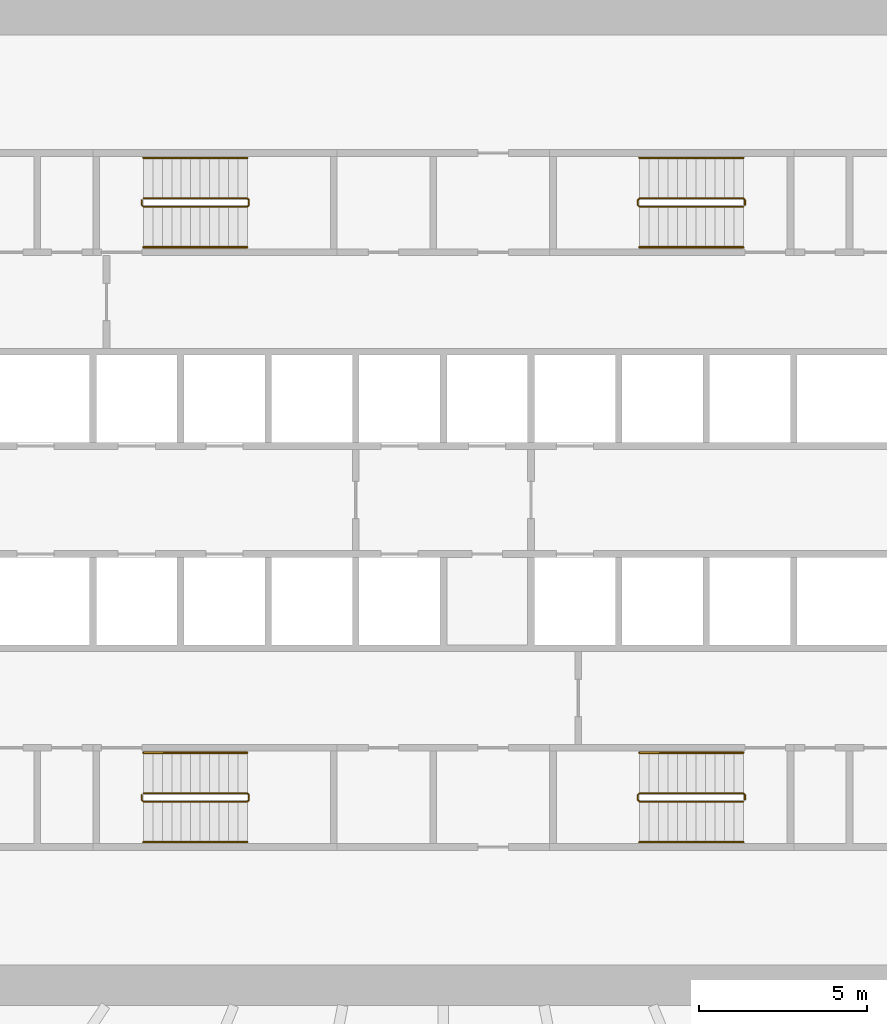
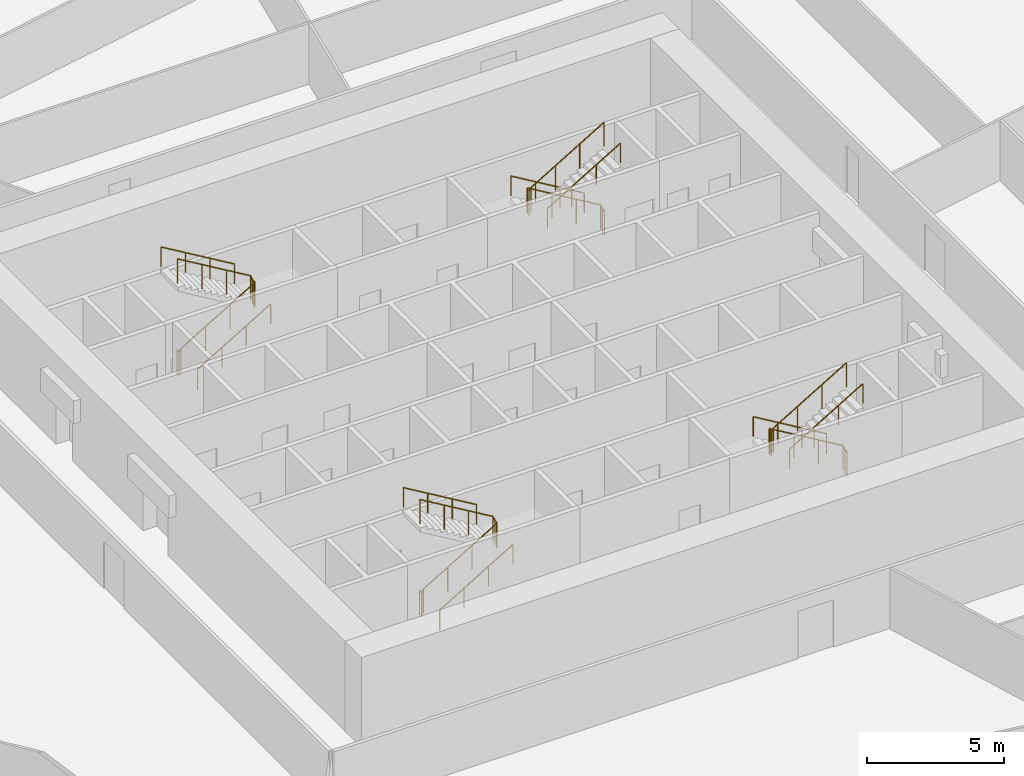
# One storey, part 15 of 15: 12 railings.
"""IFC4 building model written with IfcOpenShell, lengths in metres."""

from ifc_helpers import new_model, si_unit, direction, frame, origin, origin_2d, place, context, subcontext, project, spatial, circle, extrude, material, type_object, element, save


model = new_model("IFC4")

# Units and contexts
model_context = context("Model", 3, precision=1e-05, world=origin(), true_north=direction((0.0, 1.0)))
body_context = subcontext(model_context, "Body", "Model", "MODEL_VIEW")
ifc_project = project(units=[si_unit("LENGTHUNIT", "METRE"), si_unit("AREAUNIT", "SQUARE_METRE"), si_unit("VOLUMEUNIT", "CUBIC_METRE"), si_unit("PLANEANGLEUNIT", "RADIAN"), si_unit("MASSUNIT", "GRAM", prefix="KILO")], contexts=[model_context])

# Site, building, storey
site_placement = place(None, origin())
site = spatial("IfcSite", under=ifc_project, at=site_placement, CompositionType="ELEMENT")
building_placement = place(site_placement, origin())
building = spatial("IfcBuilding", under=site, at=building_placement, Name="Corvane Civic Tower", CompositionType="ELEMENT")
storey_placement = place(building_placement, frame((0.0, 0.0, 73.0)))
storey = spatial("IfcBuildingStorey", under=building, at=storey_placement, Name="L16", CompositionType="ELEMENT", Elevation=73.0)

# Railings
ifc_material_1 = material(Name="Steel ASTM A572 Gr 50", Category="steel")
railing_type_1 = type_object("IfcRailingType", Name="ST-GUARD-1100", PredefinedType="GUARDRAIL", material=ifc_material_1)
railing_1_placement = place(storey_placement, frame((8.949951171875, 8.75, 0.0)))
element("IfcRailing", 1, at=railing_1_placement, inside=storey, type_object=railing_type_1, Name="L16 ST1 stair guard 1", PredefinedType="GUARDRAIL", context=body_context, shape_type="SweptSolid", body=[
    extrude(circle(Radius=0.02392578125, at=origin_2d()), frame((0.0, 0.0, 1.076171875), z_axis=(0.0, 1.0, 0.0), x_axis=(-1.0, 0.0, 0.0)), (0.0, 0.0, 1.0), 0.14990234375),
    extrude(circle(Radius=0.02392578125, at=origin_2d()), frame((0.0, 0.14990234375, 1.076171875), z_axis=(-0.27628659633, 0.27628659633, 0.920506074601), x_axis=(-0.707106781187, -0.707106781187, 0.0)), (0.0, 0.0, 1.0), 0.18115234375),
    extrude(circle(Radius=0.02392578125, at=origin_2d()), frame((-0.050048828125, 0.199951171875, 1.24267578125), z_axis=(-0.859290745958, 0.0, 0.51148745235), x_axis=(0.0, -1.0, 0.0)), (0.0, 0.0, 1.0), 3.584228515625),
    extrude(circle(Radius=0.02392578125, at=origin_2d()), frame((-3.1298828125, 0.199951171875, 3.076171875), z_axis=(-0.707106781187, -0.707106781187, 0.0), x_axis=(0.707106781187, -0.707106781187, 0.0)), (0.0, 0.0, 1.0), 0.07080078125),
    extrude(circle(Radius=0.02392578125, at=origin_2d()), frame((-3.179931640625, 0.14990234375, 3.076171875), z_axis=(0.0, -1.0, 0.0), x_axis=(1.0, 0.0, 0.0)), (0.0, 0.0, 1.0), 0.14990234375),
    extrude(circle(Radius=0.02392578125, at=origin_2d()), frame((-3.179931640625, 0.0, 3.076171875), z_axis=(0.27628659633, -0.27628659633, 0.920506074601), x_axis=(0.707106781187, 0.707106781187, 0.0)), (0.0, 0.0, 1.0), 0.18115234375),
    extrude(circle(Radius=0.02392578125, at=origin_2d()), frame((-3.1298828125, -0.050048828125, 3.24267578125), z_axis=(0.859290745958, 0.0, 0.51148745235), x_axis=(0.0, 1.0, 0.0)), (0.0, 0.0, 1.0), 3.584228515625),
    extrude(circle(Radius=0.02099609375, at=origin_2d()), origin(), (0.0, 0.0, 1.0), 1.052001953125),
    extrude(circle(Radius=0.02099609375, at=origin_2d()), frame((0.0, 0.14990234375, 0.0)), (0.0, 0.0, 1.0), 1.052001953125),
    extrude(circle(Radius=0.02099609375, at=origin_2d()), frame((-0.050048828125, 0.199951171875, 0.166748046875)), (0.0, 0.0, 1.0), 1.052001953125),
    extrude(circle(Radius=0.02099609375, at=origin_2d()), frame((-1.07666015625, 0.199951171875, 0.77783203125)), (0.0, 0.0, 1.0), 1.052001953125),
    extrude(circle(Radius=0.02099609375, at=origin_2d()), frame((-2.103271484375, 0.199951171875, 1.388916015625)), (0.0, 0.0, 1.0), 1.052001953125),
    extrude(circle(Radius=0.02099609375, at=origin_2d()), frame((-3.1298828125, 0.199951171875, 2.0)), (0.0, 0.0, 1.0), 1.052001953125),
    extrude(circle(Radius=0.02099609375, at=origin_2d()), frame((-3.179931640625, 0.14990234375, 2.0)), (0.0, 0.0, 1.0), 1.052001953125),
    extrude(circle(Radius=0.02099609375, at=origin_2d()), frame((-3.179931640625, 0.0, 2.0)), (0.0, 0.0, 1.0), 1.052001953125),
    extrude(circle(Radius=0.02099609375, at=origin_2d()), frame((-3.1298828125, -0.050048828125, 2.166748046875)), (0.0, 0.0, 1.0), 1.052001953125),
    extrude(circle(Radius=0.02099609375, at=origin_2d()), frame((-2.103271484375, -0.050048828125, 2.77783203125)), (0.0, 0.0, 1.0), 1.052001953125),
    extrude(circle(Radius=0.02099609375, at=origin_2d()), frame((-1.07666015625, -0.050048828125, 3.388916015625)), (0.0, 0.0, 1.0), 1.052001953125),
    extrude(circle(Radius=0.02099609375, at=origin_2d()), frame((-0.050048828125, -0.050048828125, 4.0)), (0.0, 0.0, 1.0), 1.052001953125),
])
railing_2_placement = place(storey_placement, frame((8.949951171875, -8.89990234375, 0.0)))
element("IfcRailing", 2, at=railing_2_placement, inside=storey, type_object=railing_type_1, Name="L16 ST2 stair guard 1", PredefinedType="GUARDRAIL", context=body_context, shape_type="SweptSolid", body=[
    extrude(circle(Radius=0.02392578125, at=origin_2d()), frame((0.0, 0.0, 1.076171875), z_axis=(0.0, 1.0, 0.0), x_axis=(-1.0, 0.0, 0.0)), (0.0, 0.0, 1.0), 0.14990234375),
    extrude(circle(Radius=0.02392578125, at=origin_2d()), frame((0.0, 0.14990234375, 1.076171875), z_axis=(-0.27628659633, 0.27628659633, 0.920506074601), x_axis=(-0.707106781187, -0.707106781187, 0.0)), (0.0, 0.0, 1.0), 0.18115234375),
    extrude(circle(Radius=0.02392578125, at=origin_2d()), frame((-0.050048828125, 0.199951171875, 1.24267578125), z_axis=(-0.859290745958, 0.0, 0.51148745235), x_axis=(0.0, -1.0, 0.0)), (0.0, 0.0, 1.0), 3.584228515625),
    extrude(circle(Radius=0.02392578125, at=origin_2d()), frame((-3.1298828125, 0.199951171875, 3.076171875), z_axis=(-0.707106781187, -0.707106781187, 0.0), x_axis=(0.707106781187, -0.707106781187, 0.0)), (0.0, 0.0, 1.0), 0.07080078125),
    extrude(circle(Radius=0.02392578125, at=origin_2d()), frame((-3.179931640625, 0.14990234375, 3.076171875), z_axis=(0.0, -1.0, 0.0), x_axis=(1.0, 0.0, 0.0)), (0.0, 0.0, 1.0), 0.14990234375),
    extrude(circle(Radius=0.02392578125, at=origin_2d()), frame((-3.179931640625, 0.0, 3.076171875), z_axis=(0.27628659633, -0.27628659633, 0.920506074601), x_axis=(0.707106781187, 0.707106781187, 0.0)), (0.0, 0.0, 1.0), 0.18115234375),
    extrude(circle(Radius=0.02392578125, at=origin_2d()), frame((-3.1298828125, -0.050048828125, 3.24267578125), z_axis=(0.859290745958, 0.0, 0.51148745235), x_axis=(0.0, 1.0, 0.0)), (0.0, 0.0, 1.0), 3.584228515625),
    extrude(circle(Radius=0.02099609375, at=origin_2d()), origin(), (0.0, 0.0, 1.0), 1.052001953125),
    extrude(circle(Radius=0.02099609375, at=origin_2d()), frame((0.0, 0.14990234375, 0.0)), (0.0, 0.0, 1.0), 1.052001953125),
    extrude(circle(Radius=0.02099609375, at=origin_2d()), frame((-0.050048828125, 0.199951171875, 0.166748046875)), (0.0, 0.0, 1.0), 1.052001953125),
    extrude(circle(Radius=0.02099609375, at=origin_2d()), frame((-1.07666015625, 0.199951171875, 0.77783203125)), (0.0, 0.0, 1.0), 1.052001953125),
    extrude(circle(Radius=0.02099609375, at=origin_2d()), frame((-2.103271484375, 0.199951171875, 1.388916015625)), (0.0, 0.0, 1.0), 1.052001953125),
    extrude(circle(Radius=0.02099609375, at=origin_2d()), frame((-3.1298828125, 0.199951171875, 2.0)), (0.0, 0.0, 1.0), 1.052001953125),
    extrude(circle(Radius=0.02099609375, at=origin_2d()), frame((-3.179931640625, 0.14990234375, 2.0)), (0.0, 0.0, 1.0), 1.052001953125),
    extrude(circle(Radius=0.02099609375, at=origin_2d()), frame((-3.179931640625, 0.0, 2.0)), (0.0, 0.0, 1.0), 1.052001953125),
    extrude(circle(Radius=0.02099609375, at=origin_2d()), frame((-3.1298828125, -0.050048828125, 2.166748046875)), (0.0, 0.0, 1.0), 1.052001953125),
    extrude(circle(Radius=0.02099609375, at=origin_2d()), frame((-2.103271484375, -0.050048828125, 2.77783203125)), (0.0, 0.0, 1.0), 1.052001953125),
    extrude(circle(Radius=0.02099609375, at=origin_2d()), frame((-1.07666015625, -0.050048828125, 3.388916015625)), (0.0, 0.0, 1.0), 1.052001953125),
    extrude(circle(Radius=0.02099609375, at=origin_2d()), frame((-0.050048828125, -0.050048828125, 4.0)), (0.0, 0.0, 1.0), 1.052001953125),
])
railing_3_placement = place(storey_placement, frame((-8.949951171875, -8.75, 0.0)))
element("IfcRailing", 3, at=railing_3_placement, inside=storey, type_object=railing_type_1, Name="L16 ST3 stair guard 1", PredefinedType="GUARDRAIL", context=body_context, shape_type="SweptSolid", body=[
    extrude(circle(Radius=0.02392578125, at=origin_2d()), frame((0.0, 0.0, 1.076171875), z_axis=(0.0, -1.0, 0.0), x_axis=(1.0, 0.0, 0.0)), (0.0, 0.0, 1.0), 0.14990234375),
    extrude(circle(Radius=0.02392578125, at=origin_2d()), frame((0.0, -0.14990234375, 1.076171875), z_axis=(0.27628659633, -0.27628659633, 0.920506074601), x_axis=(0.707106781187, 0.707106781187, 0.0)), (0.0, 0.0, 1.0), 0.18115234375),
    extrude(circle(Radius=0.02392578125, at=origin_2d()), frame((0.050048828125, -0.199951171875, 1.24267578125), z_axis=(0.859290745958, 0.0, 0.51148745235), x_axis=(0.0, 1.0, 0.0)), (0.0, 0.0, 1.0), 3.584228515625),
    extrude(circle(Radius=0.02392578125, at=origin_2d()), frame((3.1298828125, -0.199951171875, 3.076171875), z_axis=(0.707106781187, 0.707106781187, 0.0), x_axis=(-0.707106781187, 0.707106781187, 0.0)), (0.0, 0.0, 1.0), 0.07080078125),
    extrude(circle(Radius=0.02392578125, at=origin_2d()), frame((3.179931640625, -0.14990234375, 3.076171875), z_axis=(0.0, 1.0, 0.0), x_axis=(-1.0, 0.0, 0.0)), (0.0, 0.0, 1.0), 0.14990234375),
    extrude(circle(Radius=0.02392578125, at=origin_2d()), frame((3.179931640625, 0.0, 3.076171875), z_axis=(-0.27628659633, 0.27628659633, 0.920506074601), x_axis=(-0.707106781187, -0.707106781187, 0.0)), (0.0, 0.0, 1.0), 0.18115234375),
    extrude(circle(Radius=0.02392578125, at=origin_2d()), frame((3.1298828125, 0.050048828125, 3.24267578125), z_axis=(-0.859290745958, 0.0, 0.51148745235), x_axis=(0.0, -1.0, 0.0)), (0.0, 0.0, 1.0), 3.584228515625),
    extrude(circle(Radius=0.02099609375, at=origin_2d()), origin(), (0.0, 0.0, 1.0), 1.052001953125),
    extrude(circle(Radius=0.02099609375, at=origin_2d()), frame((0.0, -0.14990234375, 0.0)), (0.0, 0.0, 1.0), 1.052001953125),
    extrude(circle(Radius=0.02099609375, at=origin_2d()), frame((0.050048828125, -0.199951171875, 0.166748046875)), (0.0, 0.0, 1.0), 1.052001953125),
    extrude(circle(Radius=0.02099609375, at=origin_2d()), frame((1.07666015625, -0.199951171875, 0.77783203125)), (0.0, 0.0, 1.0), 1.052001953125),
    extrude(circle(Radius=0.02099609375, at=origin_2d()), frame((2.103271484375, -0.199951171875, 1.388916015625)), (0.0, 0.0, 1.0), 1.052001953125),
    extrude(circle(Radius=0.02099609375, at=origin_2d()), frame((3.1298828125, -0.199951171875, 2.0)), (0.0, 0.0, 1.0), 1.052001953125),
    extrude(circle(Radius=0.02099609375, at=origin_2d()), frame((3.179931640625, -0.14990234375, 2.0)), (0.0, 0.0, 1.0), 1.052001953125),
    extrude(circle(Radius=0.02099609375, at=origin_2d()), frame((3.179931640625, 0.0, 2.0)), (0.0, 0.0, 1.0), 1.052001953125),
    extrude(circle(Radius=0.02099609375, at=origin_2d()), frame((3.1298828125, 0.050048828125, 2.166748046875)), (0.0, 0.0, 1.0), 1.052001953125),
    extrude(circle(Radius=0.02099609375, at=origin_2d()), frame((2.103271484375, 0.050048828125, 2.77783203125)), (0.0, 0.0, 1.0), 1.052001953125),
    extrude(circle(Radius=0.02099609375, at=origin_2d()), frame((1.07666015625, 0.050048828125, 3.388916015625)), (0.0, 0.0, 1.0), 1.052001953125),
    extrude(circle(Radius=0.02099609375, at=origin_2d()), frame((0.050048828125, 0.050048828125, 4.0)), (0.0, 0.0, 1.0), 1.052001953125),
])
railing_4_placement = place(storey_placement, frame((-8.949951171875, 8.89990234375, 0.0)))
element("IfcRailing", 4, at=railing_4_placement, inside=storey, type_object=railing_type_1, Name="L16 ST4 stair guard 1", PredefinedType="GUARDRAIL", context=body_context, shape_type="SweptSolid", body=[
    extrude(circle(Radius=0.02392578125, at=origin_2d()), frame((0.0, 0.0, 1.076171875), z_axis=(0.0, -1.0, 0.0), x_axis=(1.0, 0.0, 0.0)), (0.0, 0.0, 1.0), 0.14990234375),
    extrude(circle(Radius=0.02392578125, at=origin_2d()), frame((0.0, -0.14990234375, 1.076171875), z_axis=(0.27628659633, -0.27628659633, 0.920506074601), x_axis=(0.707106781187, 0.707106781187, 0.0)), (0.0, 0.0, 1.0), 0.18115234375),
    extrude(circle(Radius=0.02392578125, at=origin_2d()), frame((0.050048828125, -0.199951171875, 1.24267578125), z_axis=(0.859290745958, 0.0, 0.51148745235), x_axis=(0.0, 1.0, 0.0)), (0.0, 0.0, 1.0), 3.584228515625),
    extrude(circle(Radius=0.02392578125, at=origin_2d()), frame((3.1298828125, -0.199951171875, 3.076171875), z_axis=(0.707106781187, 0.707106781187, 0.0), x_axis=(-0.707106781187, 0.707106781187, 0.0)), (0.0, 0.0, 1.0), 0.07080078125),
    extrude(circle(Radius=0.02392578125, at=origin_2d()), frame((3.179931640625, -0.14990234375, 3.076171875), z_axis=(0.0, 1.0, 0.0), x_axis=(-1.0, 0.0, 0.0)), (0.0, 0.0, 1.0), 0.14990234375),
    extrude(circle(Radius=0.02392578125, at=origin_2d()), frame((3.179931640625, 0.0, 3.076171875), z_axis=(-0.27628659633, 0.27628659633, 0.920506074601), x_axis=(-0.707106781187, -0.707106781187, 0.0)), (0.0, 0.0, 1.0), 0.18115234375),
    extrude(circle(Radius=0.02392578125, at=origin_2d()), frame((3.1298828125, 0.050048828125, 3.24267578125), z_axis=(-0.859290745958, 0.0, 0.51148745235), x_axis=(0.0, -1.0, 0.0)), (0.0, 0.0, 1.0), 3.584228515625),
    extrude(circle(Radius=0.02099609375, at=origin_2d()), origin(), (0.0, 0.0, 1.0), 1.052001953125),
    extrude(circle(Radius=0.02099609375, at=origin_2d()), frame((0.0, -0.14990234375, 0.0)), (0.0, 0.0, 1.0), 1.052001953125),
    extrude(circle(Radius=0.02099609375, at=origin_2d()), frame((0.050048828125, -0.199951171875, 0.166748046875)), (0.0, 0.0, 1.0), 1.052001953125),
    extrude(circle(Radius=0.02099609375, at=origin_2d()), frame((1.07666015625, -0.199951171875, 0.77783203125)), (0.0, 0.0, 1.0), 1.052001953125),
    extrude(circle(Radius=0.02099609375, at=origin_2d()), frame((2.103271484375, -0.199951171875, 1.388916015625)), (0.0, 0.0, 1.0), 1.052001953125),
    extrude(circle(Radius=0.02099609375, at=origin_2d()), frame((3.1298828125, -0.199951171875, 2.0)), (0.0, 0.0, 1.0), 1.052001953125),
    extrude(circle(Radius=0.02099609375, at=origin_2d()), frame((3.179931640625, -0.14990234375, 2.0)), (0.0, 0.0, 1.0), 1.052001953125),
    extrude(circle(Radius=0.02099609375, at=origin_2d()), frame((3.179931640625, 0.0, 2.0)), (0.0, 0.0, 1.0), 1.052001953125),
    extrude(circle(Radius=0.02099609375, at=origin_2d()), frame((3.1298828125, 0.050048828125, 2.166748046875)), (0.0, 0.0, 1.0), 1.052001953125),
    extrude(circle(Radius=0.02099609375, at=origin_2d()), frame((2.103271484375, 0.050048828125, 2.77783203125)), (0.0, 0.0, 1.0), 1.052001953125),
    extrude(circle(Radius=0.02099609375, at=origin_2d()), frame((1.07666015625, 0.050048828125, 3.388916015625)), (0.0, 0.0, 1.0), 1.052001953125),
    extrude(circle(Radius=0.02099609375, at=origin_2d()), frame((0.050048828125, 0.050048828125, 4.0)), (0.0, 0.0, 1.0), 1.052001953125),
])
ifc_material_2 = material(Name="Steel ASTM A572 Gr 50", Category="steel")
railing_type_2 = type_object("IfcRailingType", Name="ST-HANDRAIL-900", PredefinedType="HANDRAIL", material=ifc_material_2)
railing_5_placement = place(storey_placement, frame((8.89990234375, 10.14990234375, 0.166748046875)))
element("IfcRailing", 5, at=railing_5_placement, inside=storey, type_object=railing_type_2, Name="L16 ST1 stair handrail 1", PredefinedType="HANDRAIL", context=body_context, shape_type="SweptSolid", body=[
    extrude(circle(Radius=0.02392578125, at=origin_2d()), frame((0.0, 0.0, 0.8759765625), z_axis=(-0.859290745958, 0.0, 0.51148745235), x_axis=(0.0, -1.0, 0.0)), (0.0, 0.0, 1.0), 3.584228515625),
    extrude(circle(Radius=0.02099609375, at=origin_2d()), origin(), (0.0, 0.0, 1.0), 0.851806640625),
    extrude(circle(Radius=0.02099609375, at=origin_2d()), frame((-1.026611328125, 0.0, 0.611083984375)), (0.0, 0.0, 1.0), 0.851806640625),
    extrude(circle(Radius=0.02099609375, at=origin_2d()), frame((-2.05322265625, 0.0, 1.22216796875)), (0.0, 0.0, 1.0), 0.851806640625),
    extrude(circle(Radius=0.02099609375, at=origin_2d()), frame((-3.079833984375, 0.0, 1.833251953125)), (0.0, 0.0, 1.0), 0.851806640625),
])
railing_6_placement = place(storey_placement, frame((5.820068359375, 7.5, 2.166748046875)))
element("IfcRailing", 6, at=railing_6_placement, inside=storey, type_object=railing_type_2, Name="L16 ST1 stair handrail 2", PredefinedType="HANDRAIL", context=body_context, shape_type="SweptSolid", body=[
    extrude(circle(Radius=0.02392578125, at=origin_2d()), frame((0.0, 0.0, 0.8759765625), z_axis=(0.859290745958, 0.0, 0.51148745235), x_axis=(0.0, 1.0, 0.0)), (0.0, 0.0, 1.0), 3.584228515625),
    extrude(circle(Radius=0.02099609375, at=origin_2d()), origin(), (0.0, 0.0, 1.0), 0.851806640625),
    extrude(circle(Radius=0.02099609375, at=origin_2d()), frame((1.026611328125, 0.0, 0.611083984375)), (0.0, 0.0, 1.0), 0.851806640625),
    extrude(circle(Radius=0.02099609375, at=origin_2d()), frame((2.05322265625, 0.0, 1.22216796875)), (0.0, 0.0, 1.0), 0.851806640625),
    extrude(circle(Radius=0.02099609375, at=origin_2d()), frame((3.079833984375, 0.0, 1.833251953125)), (0.0, 0.0, 1.0), 0.851806640625),
])
railing_7_placement = place(storey_placement, frame((8.89990234375, -7.5, 0.166748046875)))
element("IfcRailing", 7, at=railing_7_placement, inside=storey, type_object=railing_type_2, Name="L16 ST2 stair handrail 1", PredefinedType="HANDRAIL", context=body_context, shape_type="SweptSolid", body=[
    extrude(circle(Radius=0.02392578125, at=origin_2d()), frame((0.0, 0.0, 0.8759765625), z_axis=(-0.859290745958, 0.0, 0.51148745235), x_axis=(0.0, -1.0, 0.0)), (0.0, 0.0, 1.0), 3.584228515625),
    extrude(circle(Radius=0.02099609375, at=origin_2d()), origin(), (0.0, 0.0, 1.0), 0.851806640625),
    extrude(circle(Radius=0.02099609375, at=origin_2d()), frame((-1.026611328125, 0.0, 0.611083984375)), (0.0, 0.0, 1.0), 0.851806640625),
    extrude(circle(Radius=0.02099609375, at=origin_2d()), frame((-2.05322265625, 0.0, 1.22216796875)), (0.0, 0.0, 1.0), 0.851806640625),
    extrude(circle(Radius=0.02099609375, at=origin_2d()), frame((-3.079833984375, 0.0, 1.833251953125)), (0.0, 0.0, 1.0), 0.851806640625),
])
for number, where, name in (
    (8, (5.820068359375, -10.14990234375, 2.166748046875), "L16 ST2 stair handrail 2"),
    (9, (-8.89990234375, -10.14990234375, 0.166748046875), "L16 ST3 stair handrail 1"),
):
    element("IfcRailing", number, at=place(storey_placement, frame(where)), inside=storey, type_object=railing_type_2, Name=name, PredefinedType="HANDRAIL", context=body_context, shape_type="SweptSolid", body=[
        extrude(circle(Radius=0.02392578125, at=origin_2d()), frame((0.0, 0.0, 0.8759765625), z_axis=(0.859290745958, 0.0, 0.51148745235), x_axis=(0.0, 1.0, 0.0)), (0.0, 0.0, 1.0), 3.584228515625),
        extrude(circle(Radius=0.02099609375, at=origin_2d()), origin(), (0.0, 0.0, 1.0), 0.851806640625),
        extrude(circle(Radius=0.02099609375, at=origin_2d()), frame((1.026611328125, 0.0, 0.611083984375)), (0.0, 0.0, 1.0), 0.851806640625),
        extrude(circle(Radius=0.02099609375, at=origin_2d()), frame((2.05322265625, 0.0, 1.22216796875)), (0.0, 0.0, 1.0), 0.851806640625),
        extrude(circle(Radius=0.02099609375, at=origin_2d()), frame((3.079833984375, 0.0, 1.833251953125)), (0.0, 0.0, 1.0), 0.851806640625),
    ])
railing_8_placement = place(storey_placement, frame((-5.820068359375, -7.5, 2.166748046875)))
element("IfcRailing", 10, at=railing_8_placement, inside=storey, type_object=railing_type_2, Name="L16 ST3 stair handrail 2", PredefinedType="HANDRAIL", context=body_context, shape_type="SweptSolid", body=[
    extrude(circle(Radius=0.02392578125, at=origin_2d()), frame((0.0, 0.0, 0.8759765625), z_axis=(-0.859290745958, 0.0, 0.51148745235), x_axis=(0.0, -1.0, 0.0)), (0.0, 0.0, 1.0), 3.584228515625),
    extrude(circle(Radius=0.02099609375, at=origin_2d()), origin(), (0.0, 0.0, 1.0), 0.851806640625),
    extrude(circle(Radius=0.02099609375, at=origin_2d()), frame((-1.026611328125, 0.0, 0.611083984375)), (0.0, 0.0, 1.0), 0.851806640625),
    extrude(circle(Radius=0.02099609375, at=origin_2d()), frame((-2.05322265625, 0.0, 1.22216796875)), (0.0, 0.0, 1.0), 0.851806640625),
    extrude(circle(Radius=0.02099609375, at=origin_2d()), frame((-3.079833984375, 0.0, 1.833251953125)), (0.0, 0.0, 1.0), 0.851806640625),
])
railing_9_placement = place(storey_placement, frame((-8.89990234375, 7.5, 0.166748046875)))
element("IfcRailing", 11, at=railing_9_placement, inside=storey, type_object=railing_type_2, Name="L16 ST4 stair handrail 1", PredefinedType="HANDRAIL", context=body_context, shape_type="SweptSolid", body=[
    extrude(circle(Radius=0.02392578125, at=origin_2d()), frame((0.0, 0.0, 0.8759765625), z_axis=(0.859290745958, 0.0, 0.51148745235), x_axis=(0.0, 1.0, 0.0)), (0.0, 0.0, 1.0), 3.584228515625),
    extrude(circle(Radius=0.02099609375, at=origin_2d()), origin(), (0.0, 0.0, 1.0), 0.851806640625),
    extrude(circle(Radius=0.02099609375, at=origin_2d()), frame((1.026611328125, 0.0, 0.611083984375)), (0.0, 0.0, 1.0), 0.851806640625),
    extrude(circle(Radius=0.02099609375, at=origin_2d()), frame((2.05322265625, 0.0, 1.22216796875)), (0.0, 0.0, 1.0), 0.851806640625),
    extrude(circle(Radius=0.02099609375, at=origin_2d()), frame((3.079833984375, 0.0, 1.833251953125)), (0.0, 0.0, 1.0), 0.851806640625),
])
railing_10_placement = place(storey_placement, frame((-5.820068359375, 10.14990234375, 2.166748046875)))
element("IfcRailing", 12, at=railing_10_placement, inside=storey, type_object=railing_type_2, Name="L16 ST4 stair handrail 2", PredefinedType="HANDRAIL", context=body_context, shape_type="SweptSolid", body=[
    extrude(circle(Radius=0.02392578125, at=origin_2d()), frame((0.0, 0.0, 0.8759765625), z_axis=(-0.859290745958, 0.0, 0.51148745235), x_axis=(0.0, -1.0, 0.0)), (0.0, 0.0, 1.0), 3.584228515625),
    extrude(circle(Radius=0.02099609375, at=origin_2d()), origin(), (0.0, 0.0, 1.0), 0.851806640625),
    extrude(circle(Radius=0.02099609375, at=origin_2d()), frame((-1.026611328125, 0.0, 0.611083984375)), (0.0, 0.0, 1.0), 0.851806640625),
    extrude(circle(Radius=0.02099609375, at=origin_2d()), frame((-2.05322265625, 0.0, 1.22216796875)), (0.0, 0.0, 1.0), 0.851806640625),
    extrude(circle(Radius=0.02099609375, at=origin_2d()), frame((-3.079833984375, 0.0, 1.833251953125)), (0.0, 0.0, 1.0), 0.851806640625),
])

save(model, "model.ifc")
